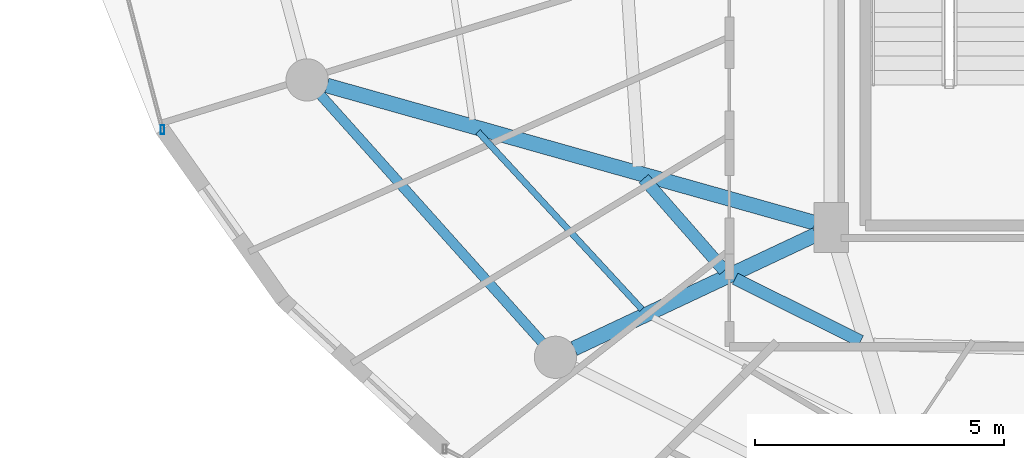
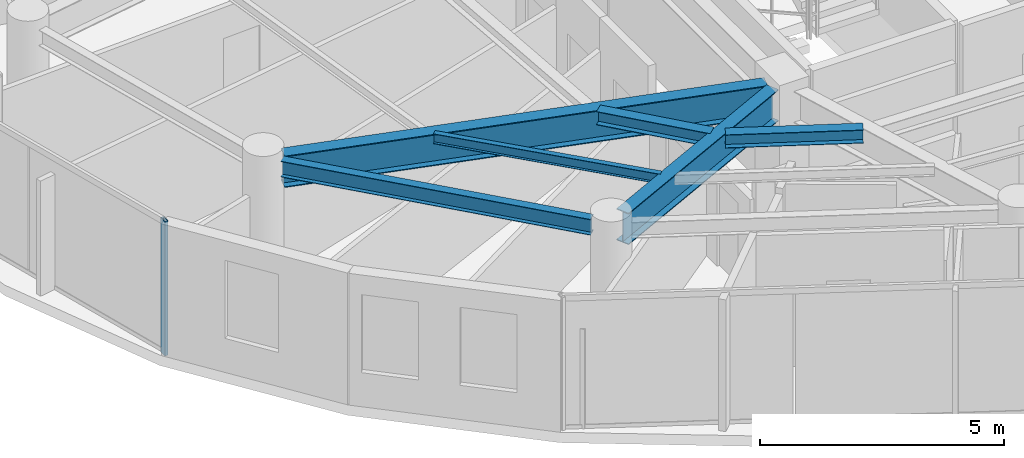
# One storey, part 3 of 30: 6 beams, 1 member, 1 element without a shape of its own.
"""IFC4 building model written with IfcOpenShell, lengths in metres."""

import ifcopenshell
import ifcopenshell.guid

model = None  # the IFC model being written
_history = None  # IfcOwnerHistory: only IFC2X3 demands one
_inside = {}  # id of a spatial element -> (the spatial element, [elements in it])
_under = {}  # id of a project, library or spatial element -> (it, [spatial elements below it])
_declared = {}  # id of a project -> (the project, [libraries it declares])
_typed = {}  # id of a type object -> (the type object, [elements of that type])
_made_of = {}  # id of a material, layer set ... -> (it, [elements and type objects made of it])


def new_model(schema):
    """Start an empty IFC model of exactly this schema.

    Asked for "IFC4X3", IfcOpenShell would pick the latest addendum, in which some entities
    have other attributes; the version numbers below select the first issue.
    IFC2X3 requires an IfcOwnerHistory on every rooted entity: one is made here for all.
    """
    global model, _history
    if schema == "IFC4X3":
        model = ifcopenshell.file(schema_version=(4, 3, 0, 0))
    else:
        model = ifcopenshell.file(schema=schema)
    _inside.clear()
    _under.clear()
    _declared.clear()
    _typed.clear()
    _made_of.clear()
    _history = None
    if model.schema == "IFC2X3":
        org = make("IfcOrganization", Name="unknown")
        user = make(
            "IfcPersonAndOrganization",
            ThePerson=make("IfcPerson", FamilyName="unknown"),
            TheOrganization=org,
        )
        app = make(
            "IfcApplication",
            ApplicationDeveloper=org,
            Version="unknown",
            ApplicationFullName="unknown",
            ApplicationIdentifier="unknown",
        )
        _history = make(
            "IfcOwnerHistory",
            OwningUser=user,
            OwningApplication=app,
            ChangeAction="ADDED",
            CreationDate=0,
        )
    return model


def make(cls, **values):
    """One entity of the class cls with the attributes given. An attribute that is None is left unset."""
    return model.create_entity(
        cls, **{name: value for name, value in values.items() if value is not None}
    )


def rooted(cls, **values):
    """An entity with a GlobalId (a new one), such as an element, a storey or a relation."""
    return make(cls, GlobalId=ifcopenshell.guid.new(), OwnerHistory=_history, **values)


def si_unit(unit_type, name, prefix=None):
    """IfcSIUnit, for example si_unit("LENGTHUNIT", "METRE", prefix="MILLI")."""
    return make("IfcSIUnit", UnitType=unit_type, Prefix=prefix, Name=name)


def assignment(units):
    """IfcUnitAssignment: the units of a project."""
    return None if units is None else make("IfcUnitAssignment", Units=units)


def point(xyz):
    """IfcCartesianPoint."""
    return None if xyz is None else make("IfcCartesianPoint", Coordinates=xyz)


def direction(xyz):
    """IfcDirection."""
    return None if xyz is None else make("IfcDirection", DirectionRatios=xyz)


def frame(location, z_axis=None, x_axis=None):
    """IfcAxis2Placement3D, a coordinate frame: its origin and axes. An axis left out is left unset."""
    return make(
        "IfcAxis2Placement3D",
        Location=point(location),
        Axis=direction(z_axis),
        RefDirection=direction(x_axis),
    )


def frame_2d(location, x_axis=None):
    """IfcAxis2Placement2D, a coordinate frame in the plane: its origin and x axis."""
    return make(
        "IfcAxis2Placement2D", Location=point(location), RefDirection=direction(x_axis)
    )


def origin():
    """The frame at (0, 0, 0) with its axes left unset."""
    return frame((0.0, 0.0, 0.0))


def origin_2d():
    """The frame at (0, 0) in the plane with its x axis left unset."""
    return frame_2d((0.0, 0.0))


def place(relative_to, where):
    """IfcLocalPlacement: puts the frame where relative to a parent placement (None: the world)."""
    return make(
        "IfcLocalPlacement", PlacementRelTo=relative_to, RelativePlacement=where
    )


def context(
    kind, dimensions, precision=None, world=None, true_north=None, identifier=None
):
    """IfcGeometricRepresentationContext, for example the 3D "Model" context."""
    return make(
        "IfcGeometricRepresentationContext",
        ContextIdentifier=identifier,
        ContextType=kind,
        CoordinateSpaceDimension=dimensions,
        Precision=precision,
        WorldCoordinateSystem=world,
        TrueNorth=true_north,
    )


def subcontext(parent, identifier, kind, view, scale=None):
    """IfcGeometricRepresentationSubContext, for example "Body" below "Model"."""
    return make(
        "IfcGeometricRepresentationSubContext",
        ContextIdentifier=identifier,
        ContextType=kind,
        ParentContext=parent,
        TargetScale=scale,
        TargetView=view,
    )


def project(units=None, contexts=None):
    """IfcProject with its units and contexts."""
    return rooted(
        "IfcProject",
        Name="project",
        RepresentationContexts=contexts,
        UnitsInContext=assignment(units),
    )


def spatial(cls, under=None, at=None, **own):
    """A site, building, storey or space (cls), placed at a placement, below another one or the project."""
    s = rooted(cls, ObjectPlacement=at, **own)
    if under is not None:
        _under.setdefault(under.id(), (under, []))[1].append(s)
    return s


def profile(cls, at=None, kind="AREA", **sizes):
    """A parametric profile (cls). Its sizes go by their IFC names, for example OverallWidth=200.0."""
    return make(cls, ProfileType=kind, Position=at, **sizes)


def hollow_rectangle(**sizes):
    """IfcRectangleHollowProfileDef."""
    return profile("IfcRectangleHollowProfileDef", **sizes)


def i_section(**sizes):
    """IfcIShapeProfileDef."""
    return profile("IfcIShapeProfileDef", **sizes)


def extrude(swept, where, along, depth):
    """IfcExtrudedAreaSolid: the profile swept, set in the frame where, extruded along a direction by depth."""
    return make(
        "IfcExtrudedAreaSolid",
        SweptArea=swept,
        Position=where,
        ExtrudedDirection=direction(along),
        Depth=depth,
    )


def shape(context_of_items, identifier, shape_type, items):
    """IfcShapeRepresentation: the items that make up one representation, for example the "Body"."""
    return make(
        "IfcShapeRepresentation",
        ContextOfItems=context_of_items,
        RepresentationIdentifier=identifier,
        RepresentationType=shape_type,
        Items=items,
    )


def material(Name=None, Category=None):
    """IfcMaterial."""
    return make("IfcMaterial", Name=Name, Category=Category)


def material_profile(
    of_material, cross_section, Name=None, Category=None, Priority=None
):
    """IfcMaterialProfile: a cross section and its material."""
    return make(
        "IfcMaterialProfile",
        Name=Name,
        Material=of_material,
        Profile=cross_section,
        Priority=Priority,
        Category=Category,
    )


def profile_set(profiles, Name=None, composite=None):
    """IfcMaterialProfileSet."""
    return make(
        "IfcMaterialProfileSet",
        Name=Name,
        MaterialProfiles=profiles,
        CompositeProfile=composite,
    )


def made_of(thing, what):
    """Note that an element or type object is made of a material, layer set ...; save() writes the relation."""
    if what is not None:
        _made_of.setdefault(what.id(), (what, []))[1].append(thing)
    return thing


def type_object(cls, material=None, **own):
    """A type object (cls), such as IfcWallType, which elements share."""
    return made_of(rooted(cls, **own), material)


def element(
    cls,
    number,
    at=None,
    inside=None,
    cuts=None,
    type_object=None,
    material=None,
    context=None,
    identifier="Body",
    shape_type=None,
    held_by="IfcProductDefinitionShape",
    body=None,
    shapes=None,
    **own,
):
    """One element of the class cls, such as IfcWall. Its Tag is "e" and its number.

    at: its placement. inside: the storey or other place that contains it. cuts: it is an
    opening in that element (IfcRelVoidsElement). A single representation is given by context,
    identifier, shape_type and body (its items); several are given by shapes. held_by: the class
    of the entity that holds the representations. save() writes the other relations.
    """
    e = rooted(cls, Tag="e%d" % number, ObjectPlacement=at, **own)
    if body is not None:
        shapes = [shape(context, identifier, shape_type, body)]
    if shapes is not None:
        e.Representation = make(held_by, Representations=shapes)
    if inside is not None:
        _inside.setdefault(inside.id(), (inside, []))[1].append(e)
    if cuts is not None:
        rooted(
            "IfcRelVoidsElement", RelatingBuildingElement=cuts, RelatedOpeningElement=e
        )
    if type_object is not None:
        _typed.setdefault(type_object.id(), (type_object, []))[1].append(e)
    return made_of(e, material)


def aggregate(whole, parts):
    """IfcRelAggregates: a whole, such as a stair, and the parts it consists of."""
    return rooted("IfcRelAggregates", RelatingObject=whole, RelatedObjects=parts)


def save(model, path):
    """Write the relations noted so far, then the file.

    IfcRelAggregates (storeys below a building ...), IfcRelContainedInSpatialStructure (elements
    in a storey), IfcRelDefinesByType, IfcRelAssociatesMaterial and IfcRelDeclares: one each for
    every whole, place, type object, material and project.
    """
    for whole, parts in _under.values():
        aggregate(whole, parts)
    for where, things in _inside.values():
        rooted(
            "IfcRelContainedInSpatialStructure",
            RelatedElements=things,
            RelatingStructure=where,
        )
    for kind, things in _typed.values():
        rooted("IfcRelDefinesByType", RelatedObjects=things, RelatingType=kind)
    for what, things in _made_of.values():
        rooted("IfcRelAssociatesMaterial", RelatedObjects=things, RelatingMaterial=what)
    for by, libraries in _declared.values():
        rooted("IfcRelDeclares", RelatingContext=by, RelatedDefinitions=libraries)
    model.write(path)


model = new_model("IFC4")

# Units and contexts
model_context = context("Model", 3, precision=1e-05, world=origin(), true_north=direction((0.0, 1.0)))
body_context = subcontext(model_context, "Body", "Model", "MODEL_VIEW")
ifc_project = project(units=[si_unit("LENGTHUNIT", "METRE"), si_unit("AREAUNIT", "SQUARE_METRE"), si_unit("VOLUMEUNIT", "CUBIC_METRE"), si_unit("PLANEANGLEUNIT", "RADIAN"), si_unit("MASSUNIT", "GRAM", prefix="KILO")], contexts=[model_context])

# Site, building, storey
site_placement = place(None, origin())
site = spatial("IfcSite", under=ifc_project, at=site_placement, CompositionType="ELEMENT")
building_placement = place(site_placement, origin())
building = spatial("IfcBuilding", under=site, at=building_placement, Name="Vorneva Point Tower", CompositionType="ELEMENT")
storey_placement = place(building_placement, frame((0.0, 0.0, 262.64990234375)))
storey = spatial("IfcBuildingStorey", under=building, at=storey_placement, Name="L71", CompositionType="ELEMENT", Elevation=262.64990234375)

# Beams
ifc_material_1 = material(Name="Steel S355", Category="steel")
ifc_material_profile_1 = material_profile(ifc_material_1, i_section(OverallWidth=0.300048828125, OverallDepth=0.7880859375, WebThickness=0.014404296875, FlangeThickness=0.02197265625, at=origin_2d()), Name="80Sh1")
ifc_profile_set_1 = profile_set([ifc_material_profile_1], Name="Steel S355")
beam_type_1 = type_object("IfcBeamType", Name="BM-GRD-80Sh1", PredefinedType="USERDEFINED", material=ifc_profile_set_1)
beam_1_placement = place(storey_placement, frame((17.102294921875, 19.305908203125, 2.89599609375), z_axis=(0.962601026021, -0.270922986664, 0.0), x_axis=(0.270922986664, 0.962601026021, 0.0)))
element("IfcBeam", 1, at=beam_1_placement, inside=storey, type_object=beam_type_1, Name="L71 Radial Primary Girder 10", ObjectType="GIRDER", PredefinedType="USERDEFINED", context=body_context, shape_type="SweptSolid", body=[
    extrude(i_section(OverallWidth=0.300048828125, OverallDepth=0.7880859375, WebThickness=0.014404296875, FlangeThickness=0.02197265625, at=origin_2d()), origin(), (0.0, 0.0, 1.0), 10.201904296875),
])
beam_2_placement = place(storey_placement, frame((22.074951171875, 14.013671875, 2.89599609375), z_axis=(0.904750812805, 0.425941271455, 0.0), x_axis=(-0.425941271455, 0.904750812805, 0.0)))
element("IfcBeam", 2, at=beam_2_placement, inside=storey, type_object=beam_type_1, Name="L71 Radial Primary Girder 11", ObjectType="GIRDER", PredefinedType="USERDEFINED", context=body_context, shape_type="SweptSolid", body=[
    extrude(i_section(OverallWidth=0.300048828125, OverallDepth=0.7880859375, WebThickness=0.014404296875, FlangeThickness=0.02197265625, at=origin_2d()), origin(), (0.0, 0.0, 1.0), 5.3798828125),
])
ifc_material_profile_2 = material_profile(ifc_material_1, i_section(OverallWidth=0.1240234375, OverallDepth=0.248046875, WebThickness=0.0048828125, FlangeThickness=0.008056640625, at=origin_2d()), Name="25B1")
ifc_profile_set_2 = profile_set([ifc_material_profile_2], Name="Steel S355")
beam_type_2 = type_object("IfcBeamType", Name="BM-JST-25B1", PredefinedType="JOIST", material=ifc_profile_set_2)
beam_3_placement = place(storey_placement, frame((20.14208984375, 18.37548828125, 3.166015625), z_axis=(0.678409362497, -0.734684106863, 0.0), x_axis=(0.734684106863, 0.678409362497, 0.0)))
element("IfcBeam", 3, at=beam_3_placement, inside=storey, type_object=beam_type_2, Name="L71 Secondary Floor Beam 1.10", PredefinedType="JOIST", context=body_context, shape_type="SweptSolid", body=[
    extrude(i_section(OverallWidth=0.1240234375, OverallDepth=0.248046875, WebThickness=0.0048828125, FlangeThickness=0.008056640625, at=origin_2d()), origin(), (0.0, 0.0, 1.0), 4.86328125),
])
ifc_material_profile_3 = material_profile(ifc_material_1, i_section(OverallWidth=0.2490234375, OverallDepth=0.333984375, WebThickness=0.008056640625, FlangeThickness=0.010986328125, at=origin_2d()), Name="35Sh1")
ifc_profile_set_3 = profile_set([ifc_material_profile_3], Name="Steel S355")
beam_type_3 = type_object("IfcBeamType", Name="BM-SEC-35Sh1", PredefinedType="BEAM", material=ifc_profile_set_3)
beam_4_placement = place(storey_placement, frame((23.478271484375, 17.433349609375, 3.123046875), z_axis=(0.659115881261, -0.752041391859, 0.0), x_axis=(0.752041391859, 0.659115881261, 0.0)))
element("IfcBeam", 4, at=beam_4_placement, inside=storey, type_object=beam_type_3, Name="L71 Secondary Floor Beam 2.10", PredefinedType="BEAM", context=body_context, shape_type="SweptSolid", body=[
    extrude(i_section(OverallWidth=0.2490234375, OverallDepth=0.333984375, WebThickness=0.008056640625, FlangeThickness=0.010986328125, at=origin_2d()), origin(), (0.0, 0.0, 1.0), 2.459228515625),
])
beam_5_placement = place(storey_placement, frame((25.313720703125, 15.418701171875, 3.123046875), z_axis=(0.895531752864, -0.444997617536, 0.0), x_axis=(0.444997617536, 0.895531752864, 0.0)))
element("IfcBeam", 5, at=beam_5_placement, inside=storey, type_object=beam_type_3, Name="L71 Secondary Floor Beam 2.11", PredefinedType="BEAM", context=body_context, shape_type="SweptSolid", body=[
    extrude(i_section(OverallWidth=0.2490234375, OverallDepth=0.333984375, WebThickness=0.008056640625, FlangeThickness=0.010986328125, at=origin_2d()), origin(), (0.0, 0.0, 1.0), 2.822265625),
])
ifc_material_profile_4 = material_profile(ifc_material_1, i_section(OverallWidth=0.198974609375, OverallDepth=0.39599609375, WebThickness=0.007080078125, FlangeThickness=0.010986328125, at=origin_2d()), Name="40B1")
ifc_profile_set_4 = profile_set([ifc_material_profile_4], Name="Steel S355")
beam_type_4 = type_object("IfcBeamType", Name="BM-SPN-40B1", PredefinedType="SPANDREL", material=ifc_profile_set_4)
beam_6_placement = place(storey_placement, frame((16.97802734375, 19.1123046875, 3.092041015625), z_axis=(0.667108282638, -0.744960763554, 0.0), x_axis=(0.744960763554, 0.667108282638, 0.0)))
element("IfcBeam", 6, at=beam_6_placement, inside=storey, type_object=beam_type_4, Name="L71 Perimeter Spandrel Ring Beam 10", PredefinedType="SPANDREL", context=body_context, shape_type="SweptSolid", body=[
    extrude(i_section(OverallWidth=0.198974609375, OverallDepth=0.39599609375, WebThickness=0.007080078125, FlangeThickness=0.010986328125, at=origin_2d()), origin(), (0.0, 0.0, 1.0), 6.670166015625),
])

# Curtain wall, member
ifc_material_2 = material(Name="Pale anodised aluminium", Category="aluminium")
curtain_wall_type = type_object("IfcCurtainWallType", Name="CW-RES-SYS", PredefinedType="NOTDEFINED", material=ifc_material_2)
curtain_wall_placement = place(storey_placement, origin())
curtain_wall = element("IfcCurtainWall", 7, at=curtain_wall_placement, inside=storey, type_object=curtain_wall_type, Name="L71 Unitised Curtain Wall CW-L71-R03", PredefinedType="NOTDEFINED")
ifc_material_profile_5 = material_profile(ifc_material_2, hollow_rectangle(XDim=0.074951171875, YDim=0.179931640625, WallThickness=0.00390625, at=origin_2d()), Name="AL-MUL 180x75x4")
ifc_profile_set_5 = profile_set([ifc_material_profile_5], Name="Pale anodised aluminium")
member_type = type_object("IfcMemberType", Name="CW-MUL-180", PredefinedType="MULLION", material=ifc_profile_set_5)
member_placement = place(storey_placement, frame((13.79443359375, 18.4189453125, -0.039794921875), z_axis=(0.0, 0.0, 1.0), x_axis=(1.0, 0.0, 0.0)))
member = element("IfcMember", 8, at=member_placement, type_object=member_type, Name="CW-L71-R03 Mullion 03", PredefinedType="MULLION", context=body_context, shape_type="SweptSolid", body=[
    extrude(hollow_rectangle(XDim=0.074951171875, YDim=0.179931640625, WallThickness=0.00390625, at=origin_2d()), origin(), (0.0, 0.0, 1.0), 3.35986328125),
])
aggregate(curtain_wall, [member])

save(model, "model.ifc")
